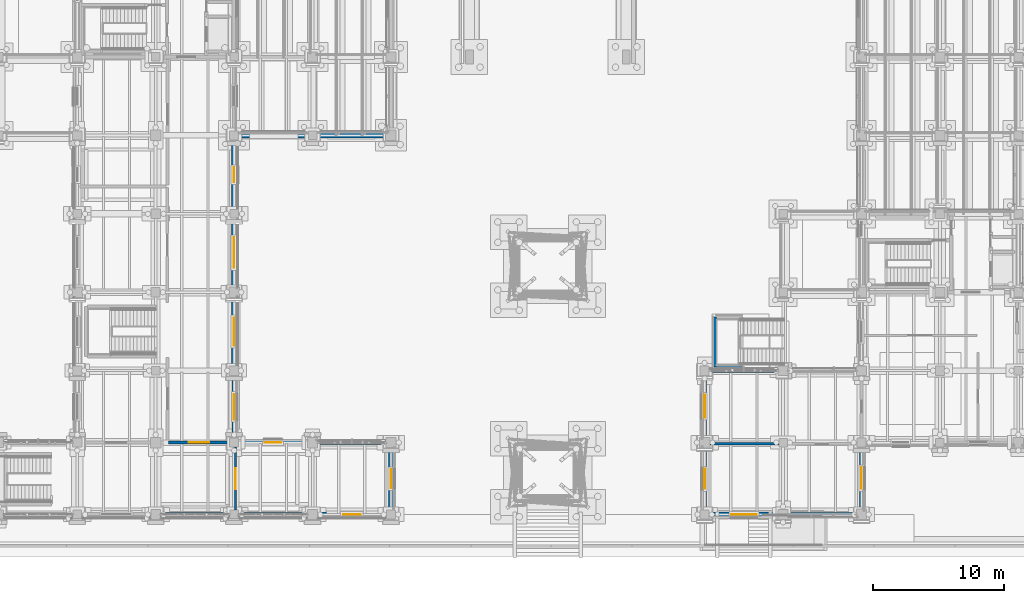
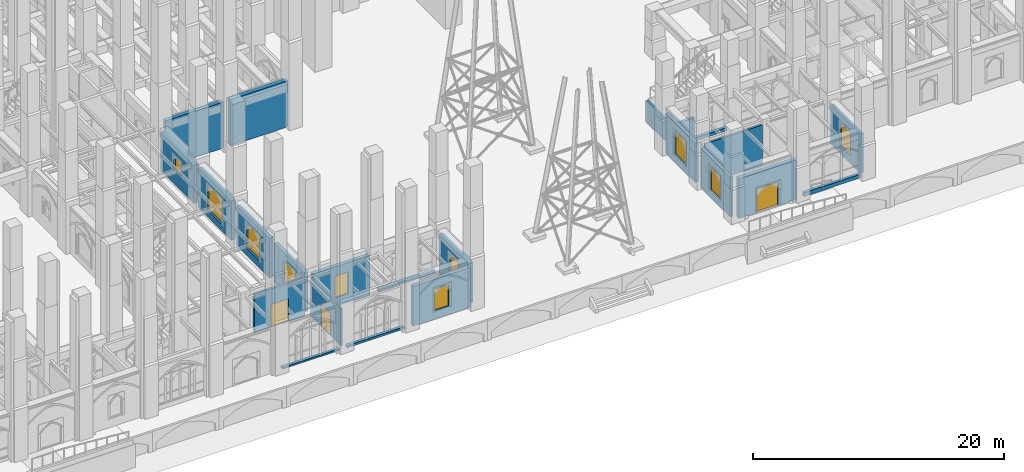
# One storey, part 63 of 135: 23 walls, 10 windows, 3 doors, 13 openings.
"""IFC4 building model written with IfcOpenShell, lengths in metres."""

from ifc_helpers import new_model, si_unit, direction, frame, frame_2d, origin, place, context, subcontext, project, spatial, rectangle, extrude, material, layer, layer_set, type_object, element, fill, save


model = new_model("IFC4")

# Units and contexts
model_context = context("Model", 3, precision=1e-05, world=origin(), true_north=direction((0.0, 1.0)))
body_context = subcontext(model_context, "Body", "Model", "MODEL_VIEW")
ifc_project = project(units=[si_unit("LENGTHUNIT", "METRE"), si_unit("AREAUNIT", "SQUARE_METRE"), si_unit("VOLUMEUNIT", "CUBIC_METRE"), si_unit("PLANEANGLEUNIT", "RADIAN"), si_unit("MASSUNIT", "GRAM", prefix="KILO")], contexts=[model_context])

# Site, building, storey
site_placement = place(None, origin())
site = spatial("IfcSite", under=ifc_project, at=site_placement, CompositionType="ELEMENT")
building_placement = place(site_placement, origin())
building = spatial("IfcBuilding", under=site, at=building_placement, Name="Cumevento Cable Car Station", CompositionType="ELEMENT")
storey_placement = place(building_placement, origin())
storey = spatial("IfcBuildingStorey", under=building, at=storey_placement, Name="L01", CompositionType="ELEMENT", Elevation=0.0)

# Wall, opening, window
ifc_material_1 = material(Name="Gnaisse Facoidal Stone Ashlar 85 MPa", Category="masonry")
ifc_layer_1 = layer(ifc_material_1, 0.280029296875)
ifc_layer_set_1 = layer_set([ifc_layer_1], Name="Gnaisse Facoidal Stone Ashlar 85 MPa")
wall_type_1 = type_object("IfcWallType", Name="Exterior Envelope Wall EW-280 280", PredefinedType="SOLIDWALL", material=ifc_layer_set_1)
wall_1_placement = place(storey_placement, frame((106.0, 4.35009765625, 0.0), z_axis=(0.0, 0.0, 1.0), x_axis=(0.0, 1.0, 0.0)))
wall_1 = element("IfcWall", 1, at=wall_1_placement, inside=storey, type_object=wall_type_1, Name="Exterior Wall EW-280 L01 #27", PredefinedType="SOLIDWALL", context=body_context, shape_type="SweptSolid", body=[
    extrude(rectangle(XDim=4.75, YDim=0.280029296875, at=frame_2d((2.375, 0.0))), origin(), (0.0, 0.0, 1.0), 3.85693359375),
])
opening_1_placement = place(wall_1_placement, frame((1.60009765625, 0.0, 0.75)))
opening_1 = element("IfcOpeningElement", 2, at=opening_1_placement, cuts=wall_1, Name="Opening WN-L01-008", PredefinedType="OPENING", context=body_context, shape_type="SweptSolid", body=[
    extrude(rectangle(XDim=1.550048828125, YDim=2.25, at=frame_2d((0.77490234375, 1.125))), frame((0.0, 0.150146484375, 0.0), z_axis=(0.0, -1.0, 0.0), x_axis=(1.0, 0.0, 0.0)), (0.0, 0.0, 1.0), 0.300048828125),
])
ifc_material_2 = material(Name="Anodised Bronze Aluminium & Laminated Solar Glass", Category="aluminium")
window_type_1 = type_object("IfcWindowType", Name="Lancet Window WN-08 1550x2250", PartitioningType="DOUBLE_PANEL_VERTICAL", PredefinedType="WINDOW", material=ifc_material_2)
window_1_placement = place(opening_1_placement, origin())
window_1 = element("IfcWindow", 3, at=window_1_placement, inside=storey, type_object=window_type_1, Name="Lancet Window WN-L01-008 (WN-08)", OverallHeight=2.25, OverallWidth=1.550048828125, PartitioningType="SINGLE_PANEL", PredefinedType="WINDOW", context=body_context, shape_type="SweptSolid", body=[
    extrude(rectangle(XDim=1.550048828125, YDim=2.25, at=frame_2d((0.77490234375, 1.125))), frame((0.0, 0.030029296875, 0.0), z_axis=(0.0, -1.0, 0.0), x_axis=(1.0, 0.0, 0.0)), (0.0, 0.0, 1.0), 0.06005859375),
])
fill(opening_1, window_1)

# Walls
ifc_material_3 = material(Name="Gnaisse Facoidal Stone Ashlar 85 MPa", Category="masonry")
ifc_layer_2 = layer(ifc_material_3, 0.294921875)
ifc_layer_set_2 = layer_set([ifc_layer_2], Name="Gnaisse Facoidal Stone Ashlar 85 MPa")
wall_type_2 = type_object("IfcWallType", Name="Exterior Envelope Wall EW-295 295", PredefinedType="SOLIDWALL", material=ifc_layer_set_2)
wall_2_placement = place(storey_placement, frame((69.675048828125, 4.0, 0.0), z_axis=(0.0, 0.0, 1.0), x_axis=(-1.0, 0.0, 0.0)))
element("IfcWall", 4, at=wall_2_placement, inside=storey, type_object=wall_type_2, Name="Exterior Sill Curb Wall EW-295 L01 #17", PredefinedType="SOLIDWALL", context=body_context, shape_type="SweptSolid", body=[
    extrude(rectangle(XDim=5.300048828125, YDim=0.294921875, at=frame_2d((2.64990234375, 0.0))), origin(), (0.0, 0.0, 1.0), 0.159912109375),
])
wall_3_placement = place(storey_placement, frame((75.625, 4.0, 0.0), z_axis=(0.0, 0.0, 1.0), x_axis=(-1.0, 0.0, 0.0)))
element("IfcWall", 5, at=wall_3_placement, inside=storey, type_object=wall_type_2, Name="Exterior Sill Curb Wall EW-295 L01 #18", PredefinedType="SOLIDWALL", context=body_context, shape_type="SweptSolid", body=[
    extrude(rectangle(XDim=5.300048828125, YDim=0.294921875, at=frame_2d((2.64990234375, 0.0))), origin(), (0.0, 0.0, 1.0), 0.2099609375),
])
wall_4_placement = place(storey_placement, frame((76.39990234375, 9.5, 0.0), z_axis=(0.0, 0.0, 1.0), x_axis=(1.0, 0.0, 0.0)))
element("IfcWall", 6, at=wall_4_placement, inside=storey, type_object=wall_type_2, Name="Exterior Sill Curb Wall EW-295 L01 #21", PredefinedType="SOLIDWALL", context=body_context, shape_type="SweptSolid", body=[
    extrude(rectangle(XDim=5.22509765625, YDim=0.294921875, at=frame_2d((2.612548828125, 0.0))), origin(), (0.0, 0.0, 1.0), 0.260009765625),
])
wall_5_placement = place(storey_placement, frame((106.35009765625, 15.0, 0.0), z_axis=(0.0, 0.0, 1.0), x_axis=(1.0, 0.0, 0.0)))
element("IfcWall", 7, at=wall_5_placement, inside=storey, type_object=wall_type_2, Name="Exterior Sill Curb Wall EW-295 L01 #24", PredefinedType="SOLIDWALL", context=body_context, shape_type="SweptSolid", body=[
    extrude(rectangle(XDim=5.27490234375, YDim=0.294921875, at=frame_2d((2.637451171875, 0.0))), origin(), (0.0, 0.0, 1.0), 0.31005859375),
])
wall_6_placement = place(storey_placement, frame((117.60009765625, 4.0, 0.0), z_axis=(0.0, 0.0, 1.0), x_axis=(-1.0, 0.0, 0.0)))
element("IfcWall", 8, at=wall_6_placement, inside=storey, type_object=wall_type_2, Name="Exterior Sill Curb Wall EW-295 L01 #25", PredefinedType="SOLIDWALL", context=body_context, shape_type="SweptSolid", body=[
    extrude(rectangle(XDim=5.22509765625, YDim=0.294921875, at=frame_2d((2.612548828125, 0.0))), origin(), (0.0, 0.0, 1.0), 0.360107421875),
])

# Wall, opening, window
wall_7_placement = place(storey_placement, frame((118.0, 9.14990234375, 0.0), z_axis=(0.0, 0.0, 1.0), x_axis=(0.0, -1.0, 0.0)))
wall_7 = element("IfcWall", 9, at=wall_7_placement, inside=storey, type_object=wall_type_2, Name="Exterior Wall EW-295 L01 #28", PredefinedType="SOLIDWALL", context=body_context, shape_type="SweptSolid", body=[
    extrude(rectangle(XDim=4.75, YDim=0.294921875, at=frame_2d((2.375, 0.0))), origin(), (0.0, 0.0, 1.0), 3.821044921875),
])
opening_2_placement = place(wall_7_placement, frame((1.550048828125, 0.0, 0.75)))
opening_2 = element("IfcOpeningElement", 10, at=opening_2_placement, cuts=wall_7, Name="Opening WN-L01-009", PredefinedType="OPENING", context=body_context, shape_type="SweptSolid", body=[
    extrude(rectangle(XDim=1.64990234375, YDim=2.300048828125, at=frame_2d((0.824951171875, 1.14990234375))), frame((0.0, 0.157470703125, 0.0), z_axis=(0.0, -1.0, 0.0), x_axis=(1.0, 0.0, 0.0)), (0.0, 0.0, 1.0), 0.31494140625),
])
ifc_material_4 = material(Name="Anodised Bronze Aluminium & Laminated Solar Glass", Category="aluminium")
window_type_2 = type_object("IfcWindowType", Name="Lancet Window WN-09 1650x2300", PartitioningType="DOUBLE_PANEL_VERTICAL", PredefinedType="WINDOW", material=ifc_material_4)
window_2_placement = place(opening_2_placement, origin())
window_2 = element("IfcWindow", 11, at=window_2_placement, inside=storey, type_object=window_type_2, Name="Lancet Window WN-L01-009 (WN-09)", OverallHeight=2.300048828125, OverallWidth=1.64990234375, PartitioningType="SINGLE_PANEL", PredefinedType="WINDOW", context=body_context, shape_type="SweptSolid", body=[
    extrude(rectangle(XDim=1.64990234375, YDim=2.300048828125, at=frame_2d((0.824951171875, 1.14990234375))), frame((0.0, 0.030029296875, 0.0), z_axis=(0.0, -1.0, 0.0), x_axis=(1.0, 0.0, 0.0)), (0.0, 0.0, 1.0), 0.06005859375),
])
fill(opening_2, window_2)

ifc_material_5 = material(Name="Gnaisse Facoidal Stone Ashlar 85 MPa", Category="masonry")
ifc_layer_3 = layer(ifc_material_5, 0.31005859375)
ifc_layer_set_3 = layer_set([ifc_layer_3], Name="Gnaisse Facoidal Stone Ashlar 85 MPa")
wall_type_3 = type_object("IfcWallType", Name="Exterior Envelope Wall EW-310 310", PredefinedType="SOLIDWALL", material=ifc_layer_set_3)
wall_8_placement = place(storey_placement, frame((106.0, 9.89990234375, 0.0), z_axis=(0.0, 0.0, 1.0), x_axis=(0.0, 1.0, 0.0)))
wall_8 = element("IfcWall", 12, at=wall_8_placement, inside=storey, type_object=wall_type_3, Name="Exterior Wall EW-310 L01 #29", PredefinedType="SOLIDWALL", context=body_context, shape_type="SweptSolid", body=[
    extrude(rectangle(XDim=4.75, YDim=0.31005859375, at=frame_2d((2.375, 0.0))), origin(), (0.0, 0.0, 1.0), 3.85693359375),
])
opening_3_placement = place(wall_8_placement, frame((1.5, 0.0, 0.75)))
opening_3 = element("IfcOpeningElement", 13, at=opening_3_placement, cuts=wall_8, Name="Opening WN-L01-010", PredefinedType="OPENING", context=body_context, shape_type="SweptSolid", body=[
    extrude(rectangle(XDim=1.75, YDim=2.300048828125, at=frame_2d((0.875, 1.14990234375))), frame((0.0, 0.1650390625, 0.0), z_axis=(0.0, -1.0, 0.0), x_axis=(1.0, 0.0, 0.0)), (0.0, 0.0, 1.0), 0.330078125),
])
ifc_material_6 = material(Name="Anodised Bronze Aluminium & Laminated Solar Glass", Category="aluminium")
window_type_3 = type_object("IfcWindowType", Name="Lancet Window WN-10 1750x2300", PartitioningType="DOUBLE_PANEL_VERTICAL", PredefinedType="WINDOW", material=ifc_material_6)
window_3_placement = place(opening_3_placement, origin())
window_3 = element("IfcWindow", 14, at=window_3_placement, inside=storey, type_object=window_type_3, Name="Lancet Window WN-L01-010 (WN-10)", OverallHeight=2.300048828125, OverallWidth=1.75, PartitioningType="SINGLE_PANEL", PredefinedType="WINDOW", context=body_context, shape_type="SweptSolid", body=[
    extrude(rectangle(XDim=1.75, YDim=2.300048828125, at=frame_2d((0.875, 1.14990234375))), frame((0.0, 0.030029296875, 0.0), z_axis=(0.0, -1.0, 0.0), x_axis=(1.0, 0.0, 0.0)), (0.0, 0.0, 1.0), 0.06005859375),
])
fill(opening_3, window_3)

ifc_material_7 = material(Name="Concrete C40/50", Category="concrete")
ifc_layer_4 = layer(ifc_material_7, 0.340087890625)
ifc_layer_set_4 = layer_set([ifc_layer_4], Name="Concrete C40/50")
wall_type_4 = type_object("IfcWallType", Name="Exterior Envelope Wall EW-340 340", PredefinedType="SOLIDWALL", material=ifc_layer_set_4)
wall_9_placement = place(storey_placement, frame((70.0, 14.625, 0.0), z_axis=(0.0, 0.0, 1.0), x_axis=(0.0, -1.0, 0.0)))
wall_9 = element("IfcWall", 15, at=wall_9_placement, inside=storey, type_object=wall_type_4, Name="Exterior Wall EW-340 L01 #31", PredefinedType="SOLIDWALL", context=body_context, shape_type="SweptSolid", body=[
    extrude(rectangle(XDim=4.77490234375, YDim=0.340087890625, at=frame_2d((2.387451171875, 0.0))), origin(), (0.0, 0.0, 1.0), 3.844970703125),
])
opening_4_placement = place(wall_9_placement, frame((1.41259765625, 0.0, 0.699951171875)))
opening_4 = element("IfcOpeningElement", 16, at=opening_4_placement, cuts=wall_9, Name="Opening WN-L01-012", PredefinedType="OPENING", context=body_context, shape_type="SweptSolid", body=[
    extrude(rectangle(XDim=1.949951171875, YDim=2.35009765625, at=frame_2d((0.97509765625, 1.175048828125))), frame((0.0, 0.179931640625, 0.0), z_axis=(0.0, -1.0, 0.0), x_axis=(1.0, 0.0, 0.0)), (0.0, 0.0, 1.0), 0.360107421875),
])
ifc_material_8 = material(Name="Anodised Bronze Aluminium & Laminated Solar Glass", Category="aluminium")
window_type_4 = type_object("IfcWindowType", Name="Lancet Window WN-12 1950x2350", PartitioningType="DOUBLE_PANEL_VERTICAL", PredefinedType="WINDOW", material=ifc_material_8)
window_4_placement = place(opening_4_placement, origin())
window_4 = element("IfcWindow", 17, at=window_4_placement, inside=storey, type_object=window_type_4, Name="Lancet Window WN-L01-012 (WN-12)", OverallHeight=2.35009765625, OverallWidth=1.949951171875, PartitioningType="SINGLE_PANEL", PredefinedType="WINDOW", context=body_context, shape_type="SweptSolid", body=[
    extrude(rectangle(XDim=1.949951171875, YDim=2.35009765625, at=frame_2d((0.97509765625, 1.175048828125))), frame((0.0, 0.030029296875, 0.0), z_axis=(0.0, -1.0, 0.0), x_axis=(1.0, 0.0, 0.0)), (0.0, 0.0, 1.0), 0.06005859375),
])
fill(opening_4, window_4)

ifc_material_9 = material(Name="Concrete C40/50", Category="concrete")
ifc_layer_5 = layer(ifc_material_9, 0.35498046875)
ifc_layer_set_5 = layer_set([ifc_layer_5], Name="Concrete C40/50")
wall_type_5 = type_object("IfcWallType", Name="Exterior Envelope Wall EW-355 355", PredefinedType="SOLIDWALL", material=ifc_layer_set_5)
wall_10_placement = place(storey_placement, frame((70.35009765625, 9.5, 0.0), z_axis=(0.0, 0.0, 1.0), x_axis=(1.0, 0.0, 0.0)))
wall_10 = element("IfcWall", 18, at=wall_10_placement, inside=storey, type_object=wall_type_5, Name="Exterior Wall EW-355 L01 #19", PredefinedType="SOLIDWALL", context=body_context, shape_type="SweptSolid", body=[
    extrude(rectangle(XDim=5.25, YDim=0.35498046875, at=frame_2d((2.625, 0.0))), origin(), (0.0, 0.0, 1.0), 3.844970703125),
])
opening_5_placement = place(wall_10_placement, frame((2.0, 0.0, 0.800048828125)))
opening_5 = element("IfcOpeningElement", 19, at=opening_5_placement, cuts=wall_10, Name="Opening WN-L01-005", PredefinedType="OPENING", context=body_context, shape_type="SweptSolid", body=[
    extrude(rectangle(XDim=1.25, YDim=2.14990234375, at=frame_2d((0.625, 1.074951171875))), frame((0.0, 0.1875, 0.0), z_axis=(0.0, -1.0, 0.0), x_axis=(1.0, 0.0, 0.0)), (0.0, 0.0, 1.0), 0.375),
])
ifc_material_10 = material(Name="Anodised Bronze Aluminium & Laminated Solar Glass", Category="aluminium")
window_type_5 = type_object("IfcWindowType", Name="Lancet Window WN-05 1250x2150", PartitioningType="SINGLE_PANEL", PredefinedType="WINDOW", material=ifc_material_10)
window_5_placement = place(opening_5_placement, origin())
window_5 = element("IfcWindow", 20, at=window_5_placement, inside=storey, type_object=window_type_5, Name="Lancet Window WN-L01-005 (WN-05)", OverallHeight=2.14990234375, OverallWidth=1.25, PartitioningType="SINGLE_PANEL", PredefinedType="WINDOW", context=body_context, shape_type="SweptSolid", body=[
    extrude(rectangle(XDim=1.25, YDim=2.14990234375, at=frame_2d((0.625, 1.074951171875))), frame((0.0, 0.030029296875, 0.0), z_axis=(0.0, -1.0, 0.0), x_axis=(1.0, 0.0, 0.0)), (0.0, 0.0, 1.0), 0.06005859375),
])
fill(opening_5, window_5)

ifc_material_11 = material(Name="Concrete C40/50", Category="concrete")
ifc_layer_6 = layer(ifc_material_11, 0.3701171875)
ifc_layer_set_6 = layer_set([ifc_layer_6], Name="Concrete C40/50")
wall_type_6 = type_object("IfcWallType", Name="Exterior Envelope Wall EW-370 370", PredefinedType="SOLIDWALL", material=ifc_layer_set_6)
wall_11_placement = place(storey_placement, frame((81.64990234375, 4.0, 0.0), z_axis=(0.0, 0.0, 1.0), x_axis=(-1.0, 0.0, 0.0)))
wall_11 = element("IfcWall", 21, at=wall_11_placement, inside=storey, type_object=wall_type_6, Name="Exterior Wall EW-370 L01 #20", PredefinedType="SOLIDWALL", context=body_context, shape_type="SweptSolid", body=[
    extrude(rectangle(XDim=5.27490234375, YDim=0.3701171875, at=frame_2d((2.637451171875, 0.0))), origin(), (0.0, 0.0, 1.0), 3.868896484375),
])
opening_6_placement = place(wall_11_placement, frame((1.96240234375, 0.0, 0.800048828125)))
opening_6 = element("IfcOpeningElement", 22, at=opening_6_placement, cuts=wall_11, Name="Opening WN-L01-006", PredefinedType="OPENING", context=body_context, shape_type="SweptSolid", body=[
    extrude(rectangle(XDim=1.35009765625, YDim=2.14990234375, at=frame_2d((0.675048828125, 1.074951171875))), frame((0.0, 0.195068359375, 0.0), z_axis=(0.0, -1.0, 0.0), x_axis=(1.0, 0.0, 0.0)), (0.0, 0.0, 1.0), 0.39013671875),
])
ifc_material_12 = material(Name="Anodised Bronze Aluminium & Laminated Solar Glass", Category="aluminium")
window_type_6 = type_object("IfcWindowType", Name="Lancet Window WN-06 1350x2150", PartitioningType="SINGLE_PANEL", PredefinedType="WINDOW", material=ifc_material_12)
window_6_placement = place(opening_6_placement, origin())
window_6 = element("IfcWindow", 23, at=window_6_placement, inside=storey, type_object=window_type_6, Name="Lancet Window WN-L01-006 (WN-06)", OverallHeight=2.14990234375, OverallWidth=1.35009765625, PartitioningType="SINGLE_PANEL", PredefinedType="WINDOW", context=body_context, shape_type="SweptSolid", body=[
    extrude(rectangle(XDim=1.35009765625, YDim=2.14990234375, at=frame_2d((0.675048828125, 1.074951171875))), frame((0.0, 0.030029296875, 0.0), z_axis=(0.0, -1.0, 0.0), x_axis=(1.0, 0.0, 0.0)), (0.0, 0.0, 1.0), 0.06005859375),
])
fill(opening_6, window_6)

wall_12_placement = place(storey_placement, frame((70.0, 20.60009765625, 0.0), z_axis=(0.0, 0.0, 1.0), x_axis=(0.0, -1.0, 0.0)))
wall_12 = element("IfcWall", 24, at=wall_12_placement, inside=storey, type_object=wall_type_6, Name="Exterior Wall EW-370 L01 #33", PredefinedType="SOLIDWALL", context=body_context, shape_type="SweptSolid", body=[
    extrude(rectangle(XDim=5.22509765625, YDim=0.3701171875, at=frame_2d((2.612548828125, 0.0))), origin(), (0.0, 0.0, 1.0), 3.844970703125),
])
opening_7_placement = place(wall_12_placement, frame((1.53759765625, 0.0, 0.699951171875)))
opening_7 = element("IfcOpeningElement", 25, at=opening_7_placement, cuts=wall_12, Name="Opening WN-L01-014", PredefinedType="OPENING", context=body_context, shape_type="SweptSolid", body=[
    extrude(rectangle(XDim=2.14990234375, YDim=2.39990234375, at=frame_2d((1.074951171875, 1.199951171875))), frame((0.0, 0.195068359375, 0.0), z_axis=(0.0, -1.0, 0.0), x_axis=(1.0, 0.0, 0.0)), (0.0, 0.0, 1.0), 0.39013671875),
])
ifc_material_13 = material(Name="Anodised Bronze Aluminium & Laminated Solar Glass", Category="aluminium")
window_type_7 = type_object("IfcWindowType", Name="Lancet Window WN-14 2150x2400", PartitioningType="DOUBLE_PANEL_VERTICAL", PredefinedType="WINDOW", material=ifc_material_13)
window_7_placement = place(opening_7_placement, origin())
window_7 = element("IfcWindow", 26, at=window_7_placement, inside=storey, type_object=window_type_7, Name="Lancet Window WN-L01-014 (WN-14)", OverallHeight=2.39990234375, OverallWidth=2.14990234375, PartitioningType="SINGLE_PANEL", PredefinedType="WINDOW", context=body_context, shape_type="SweptSolid", body=[
    extrude(rectangle(XDim=2.14990234375, YDim=2.39990234375, at=frame_2d((1.074951171875, 1.199951171875))), frame((0.0, 0.030029296875, 0.0), z_axis=(0.0, -1.0, 0.0), x_axis=(1.0, 0.0, 0.0)), (0.0, 0.0, 1.0), 0.06005859375),
])
fill(opening_7, window_7)

ifc_material_14 = material(Name="Concrete C40/50", Category="concrete")
ifc_layer_7 = layer(ifc_material_14, 0.39990234375)
ifc_layer_set_7 = layer_set([ifc_layer_7], Name="Concrete C40/50")
wall_type_7 = type_object("IfcWallType", Name="Exterior Envelope Wall EW-400 400", PredefinedType="SOLIDWALL", material=ifc_layer_set_7)
wall_13_placement = place(storey_placement, frame((82.0, 9.125, 0.0), z_axis=(0.0, 0.0, 1.0), x_axis=(0.0, -1.0, 0.0)))
wall_13 = element("IfcWall", 27, at=wall_13_placement, inside=storey, type_object=wall_type_7, Name="Exterior Wall EW-400 L01 #22", PredefinedType="SOLIDWALL", context=body_context, shape_type="SweptSolid", body=[
    extrude(rectangle(XDim=4.77490234375, YDim=0.39990234375, at=frame_2d((2.387451171875, 0.0))), origin(), (0.0, 0.0, 1.0), 3.868896484375),
])
opening_8_placement = place(wall_13_placement, frame((1.66259765625, 0.0, 0.75)))
opening_8 = element("IfcOpeningElement", 28, at=opening_8_placement, cuts=wall_13, Name="Opening WN-L01-007", PredefinedType="OPENING", context=body_context, shape_type="SweptSolid", body=[
    extrude(rectangle(XDim=1.449951171875, YDim=2.25, at=frame_2d((0.72509765625, 1.125))), frame((0.0, 0.2099609375, 0.0), z_axis=(0.0, -1.0, 0.0), x_axis=(1.0, 0.0, 0.0)), (0.0, 0.0, 1.0), 0.419921875),
])
ifc_material_15 = material(Name="Anodised Bronze Aluminium & Laminated Solar Glass", Category="aluminium")
window_type_8 = type_object("IfcWindowType", Name="Lancet Window WN-07 1450x2250", PartitioningType="SINGLE_PANEL", PredefinedType="WINDOW", material=ifc_material_15)
window_8_placement = place(opening_8_placement, origin())
window_8 = element("IfcWindow", 29, at=window_8_placement, inside=storey, type_object=window_type_8, Name="Lancet Window WN-L01-007 (WN-07)", OverallHeight=2.25, OverallWidth=1.449951171875, PartitioningType="SINGLE_PANEL", PredefinedType="WINDOW", context=body_context, shape_type="SweptSolid", body=[
    extrude(rectangle(XDim=1.449951171875, YDim=2.25, at=frame_2d((0.72509765625, 1.125))), frame((0.0, 0.030029296875, 0.0), z_axis=(0.0, -1.0, 0.0), x_axis=(1.0, 0.0, 0.0)), (0.0, 0.0, 1.0), 0.06005859375),
])
fill(opening_8, window_8)

wall_14_placement = place(storey_placement, frame((70.0, 26.675048828125, 0.0), z_axis=(0.0, 0.0, 1.0), x_axis=(0.0, -1.0, 0.0)))
wall_14 = element("IfcWall", 30, at=wall_14_placement, inside=storey, type_object=wall_type_7, Name="Exterior Wall EW-400 L01 #35", PredefinedType="SOLIDWALL", context=body_context, shape_type="SweptSolid", body=[
    extrude(rectangle(XDim=5.275146484375, YDim=0.39990234375, at=frame_2d((2.6376953125, 0.0))), origin(), (0.0, 0.0, 1.0), 3.844970703125),
])
opening_9_placement = place(wall_14_placement, frame((1.46240234375, 0.0, 0.64990234375)))
opening_9 = element("IfcOpeningElement", 31, at=opening_9_placement, cuts=wall_14, Name="Opening WN-L01-016", PredefinedType="OPENING", context=body_context, shape_type="SweptSolid", body=[
    extrude(rectangle(XDim=2.35009765625, YDim=2.449951171875, at=frame_2d((1.175048828125, 1.22509765625))), frame((0.0, 0.2099609375, 0.0), z_axis=(0.0, -1.0, 0.0), x_axis=(1.0, 0.0, 0.0)), (0.0, 0.0, 1.0), 0.419921875),
])
ifc_material_16 = material(Name="Anodised Bronze Aluminium & Laminated Solar Glass", Category="aluminium")
window_type_9 = type_object("IfcWindowType", Name="Lancet Window WN-16 2350x2450", PartitioningType="DOUBLE_PANEL_VERTICAL", PredefinedType="WINDOW", material=ifc_material_16)
window_9_placement = place(opening_9_placement, origin())
window_9 = element("IfcWindow", 32, at=window_9_placement, inside=storey, type_object=window_type_9, Name="Lancet Window WN-L01-016 (WN-16)", OverallHeight=2.449951171875, OverallWidth=2.35009765625, PartitioningType="SINGLE_PANEL", PredefinedType="WINDOW", context=body_context, shape_type="SweptSolid", body=[
    extrude(rectangle(XDim=2.35009765625, YDim=2.449951171875, at=frame_2d((1.175048828125, 1.22509765625))), frame((0.0, 0.030029296875, 0.0), z_axis=(0.0, -1.0, 0.0), x_axis=(1.0, 0.0, 0.0)), (0.0, 0.0, 1.0), 0.06005859375),
])
fill(opening_9, window_9)

# Wall, opening, door
ifc_material_17 = material(Name="Gnaisse Facoidal Stone Ashlar 85 MPa", Category="masonry")
ifc_layer_8 = layer(ifc_material_17, 0.4150390625)
ifc_layer_set_8 = layer_set([ifc_layer_8], Name="Gnaisse Facoidal Stone Ashlar 85 MPa")
wall_type_8 = type_object("IfcWallType", Name="Exterior Envelope Wall EW-415 415", PredefinedType="SOLIDWALL", material=ifc_layer_set_8)
wall_15_placement = place(storey_placement, frame((111.625, 4.0, 0.0), z_axis=(0.0, 0.0, 1.0), x_axis=(-1.0, 0.0, 0.0)))
wall_15 = element("IfcWall", 33, at=wall_15_placement, inside=storey, type_object=wall_type_8, Name="Exterior Wall EW-415 L01 #23", PredefinedType="SOLIDWALL", context=body_context, shape_type="SweptSolid", body=[
    extrude(rectangle(XDim=5.27490234375, YDim=0.4150390625, at=frame_2d((2.637451171875, 0.0))), origin(), (0.0, 0.0, 1.0), 3.85693359375),
])
opening_10_placement = place(wall_15_placement, frame((1.64990234375, 0.0, 0.0)))
opening_10 = element("IfcOpeningElement", 34, at=opening_10_placement, cuts=wall_15, Name="Opening DR-L01-M03", PredefinedType="OPENING", context=body_context, shape_type="SweptSolid", body=[
    extrude(rectangle(XDim=1.949951171875, YDim=2.300048828125, at=frame_2d((0.97509765625, 1.14990234375))), frame((0.0, 0.217529296875, 0.0), z_axis=(0.0, -1.0, 0.0), x_axis=(1.0, 0.0, 0.0)), (0.0, 0.0, 1.0), 0.43505859375),
])
ifc_material_18 = material(Name="Anodised Bronze Aluminium & Laminated Glass", Category="aluminium")
door_type_1 = type_object("IfcDoorType", Name="Exterior Door ED-02 1950x2300", OperationType="NOTDEFINED", PredefinedType="DOOR", material=ifc_material_18)
door_1_placement = place(opening_10_placement, origin())
door_1 = element("IfcDoor", 35, at=door_1_placement, inside=storey, type_object=door_type_1, Name="Main Entrance M3 (Cloister Arcade)", OperationType="DOUBLE_DOOR_SINGLE_SWING", OverallHeight=2.300048828125, OverallWidth=1.949951171875, PredefinedType="DOOR", context=body_context, shape_type="SweptSolid", body=[
    extrude(rectangle(XDim=1.949951171875, YDim=2.300048828125, at=frame_2d((0.97509765625, 1.14990234375))), frame((0.0, 0.02490234375, 0.0), z_axis=(0.0, -1.0, 0.0), x_axis=(1.0, 0.0, 0.0)), (0.0, 0.0, 1.0), 0.050048828125),
])
fill(opening_10, door_1)

# Wall, opening, window
ifc_material_19 = material(Name="Gnaisse Facoidal Stone Ashlar 85 MPa", Category="masonry")
ifc_layer_9 = layer(ifc_material_19, 0.429931640625)
ifc_layer_set_9 = layer_set([ifc_layer_9], Name="Gnaisse Facoidal Stone Ashlar 85 MPa")
wall_type_9 = type_object("IfcWallType", Name="Exterior Envelope Wall EW-430 430", PredefinedType="SOLIDWALL", material=ifc_layer_set_9)
wall_16_placement = place(storey_placement, frame((70.0, 32.64990234375, 0.0), z_axis=(0.0, 0.0, 1.0), x_axis=(0.0, -1.0, 0.0)))
wall_16 = element("IfcWall", 36, at=wall_16_placement, inside=storey, type_object=wall_type_9, Name="Exterior Wall EW-430 L01 #37", PredefinedType="SOLIDWALL", context=body_context, shape_type="SweptSolid", body=[
    extrude(rectangle(XDim=5.324951171875, YDim=0.429931640625, at=frame_2d((2.66259765625, 0.0))), origin(), (0.0, 0.0, 1.0), 3.702880859375),
])
opening_11_placement = place(wall_16_placement, frame((2.08740234375, 0.0, 1.35009765625)))
opening_11 = element("IfcOpeningElement", 37, at=opening_11_placement, cuts=wall_16, Name="Opening WN-L01-018", PredefinedType="OPENING", context=body_context, shape_type="SweptSolid", body=[
    extrude(rectangle(XDim=1.14990234375, YDim=1.35009765625, at=frame_2d((0.574951171875, 0.675048828125))), frame((0.0, 0.224853515625, 0.0), z_axis=(0.0, -1.0, 0.0), x_axis=(1.0, 0.0, 0.0)), (0.0, 0.0, 1.0), 0.449951171875),
])
ifc_material_20 = material(Name="Anodised Bronze Aluminium & Laminated Solar Glass", Category="aluminium")
window_type_10 = type_object("IfcWindowType", Name="Lancet Window WN-18 1150x1350", PartitioningType="SINGLE_PANEL", PredefinedType="WINDOW", material=ifc_material_20)
window_10_placement = place(opening_11_placement, origin())
window_10 = element("IfcWindow", 38, at=window_10_placement, inside=storey, type_object=window_type_10, Name="Lancet Window WN-L01-018 (WN-18)", OverallHeight=1.35009765625, OverallWidth=1.14990234375, PartitioningType="SINGLE_PANEL", PredefinedType="WINDOW", context=body_context, shape_type="SweptSolid", body=[
    extrude(rectangle(XDim=1.14990234375, YDim=1.35009765625, at=frame_2d((0.574951171875, 0.675048828125))), frame((0.0, 0.030029296875, 0.0), z_axis=(0.0, -1.0, 0.0), x_axis=(1.0, 0.0, 0.0)), (0.0, 0.0, 1.0), 0.06005859375),
])
fill(opening_11, window_10)

# Wall, opening, door
ifc_material_21 = material(Name="Concrete C40/50", Category="concrete")
ifc_layer_10 = layer(ifc_material_21, 0.219970703125)
ifc_layer_set_10 = layer_set([ifc_layer_10], Name="Concrete C40/50")
wall_type_10 = type_object("IfcWallType", Name="Interior Partition FW-220 220", PredefinedType="SOLIDWALL", material=ifc_layer_set_10)
wall_17_placement = place(storey_placement, frame((65.0, 9.5, 0.0), z_axis=(0.0, 0.0, 1.0), x_axis=(1.0, 0.0, 0.0)))
wall_17 = element("IfcWall", 39, at=wall_17_placement, inside=storey, type_object=wall_type_10, Name="Interior Wall FW-220 L01 #571", PredefinedType="SOLIDWALL", context=body_context, shape_type="SweptSolid", body=[
    extrude(rectangle(XDim=4.64794921875, YDim=0.219970703125, at=frame_2d((2.323974609375, 0.0))), origin(), (0.0, 0.0, 1.0), 3.712890625),
])
opening_12_placement = place(wall_17_placement, frame((1.533935546875, 0.0, 0.0)))
opening_12 = element("IfcOpeningElement", 40, at=opening_12_placement, cuts=wall_17, Name="Opening DR-L01-187", PredefinedType="OPENING", context=body_context, shape_type="SweptSolid", body=[
    extrude(rectangle(XDim=1.580078125, YDim=2.199951171875, at=frame_2d((0.7900390625, 1.10009765625))), frame((0.0, 0.119873046875, 0.0), z_axis=(0.0, -1.0, 0.0), x_axis=(1.0, 0.0, 0.0)), (0.0, 0.0, 1.0), 0.239990234375),
])
ifc_material_22 = material(Name="Galvanised Painted Steel Fire Door", Category="steel")
door_type_2 = type_object("IfcDoorType", Name="Interior Door FD-06 1580x2200", OperationType="NOTDEFINED", PredefinedType="DOOR", material=ifc_material_22)
door_2_placement = place(opening_12_placement, origin())
door_2 = element("IfcDoor", 41, at=door_2_placement, inside=storey, type_object=door_type_2, Name="Interior Door DR-L01-187 (FD-06)", OperationType="DOUBLE_DOOR_SINGLE_SWING", OverallHeight=2.199951171875, OverallWidth=1.580078125, PredefinedType="DOOR", context=body_context, shape_type="SweptSolid", body=[
    extrude(rectangle(XDim=1.580078125, YDim=2.199951171875, at=frame_2d((0.7900390625, 1.10009765625))), frame((0.0, 0.02490234375, 0.0), z_axis=(0.0, -1.0, 0.0), x_axis=(1.0, 0.0, 0.0)), (0.0, 0.0, 1.0), 0.050048828125),
])
fill(opening_12, door_2)

ifc_material_23 = material(Name="Gypsum Board & Insulated Stud Partition", Category="gypsum")
ifc_layer_11 = layer(ifc_material_23, 0.155029296875)
ifc_layer_set_11 = layer_set([ifc_layer_11], Name="Gypsum Board & Insulated Stud Partition")
wall_type_11 = type_object("IfcWallType", Name="Interior Partition PT-155 155", PredefinedType="PARTITIONING", material=ifc_layer_set_11)
wall_18_placement = place(storey_placement, frame((70.10009765625, 4.326904296875, 0.0), z_axis=(0.0, 0.0, 1.0), x_axis=(0.0, 1.0, 0.0)))
wall_18 = element("IfcWall", 42, at=wall_18_placement, inside=storey, type_object=wall_type_11, Name="Interior Wall PT-155 L01 #570", PredefinedType="PARTITIONING", context=body_context, shape_type="SweptSolid", body=[
    extrude(rectangle(XDim=4.821044921875, YDim=0.155029296875, at=frame_2d((2.41064453125, 0.0))), origin(), (0.0, 0.0, 1.0), 3.64404296875),
])
opening_13_placement = place(wall_18_placement, frame((1.62060546875, 0.0, 0.0)))
opening_13 = element("IfcOpeningElement", 43, at=opening_13_placement, cuts=wall_18, Name="Opening DR-L01-186", PredefinedType="OPENING", context=body_context, shape_type="SweptSolid", body=[
    extrude(rectangle(XDim=1.580078125, YDim=2.199951171875, at=frame_2d((0.7900390625, 1.10009765625))), frame((0.0, 0.087646484375, 0.0), z_axis=(0.0, -1.0, 0.0), x_axis=(1.0, 0.0, 0.0)), (0.0, 0.0, 1.0), 0.175048828125),
])
door_3_placement = place(opening_13_placement, origin())
door_3 = element("IfcDoor", 44, at=door_3_placement, inside=storey, type_object=door_type_2, Name="Interior Door DR-L01-186 (FD-06)", OperationType="DOUBLE_DOOR_SINGLE_SWING", OverallHeight=2.199951171875, OverallWidth=1.580078125, PredefinedType="DOOR", context=body_context, shape_type="SweptSolid", body=[
    extrude(rectangle(XDim=1.580078125, YDim=2.199951171875, at=frame_2d((0.7900390625, 1.10009765625))), frame((0.0, 0.02490234375, 0.0), z_axis=(0.0, -1.0, 0.0), x_axis=(1.0, 0.0, 0.0)), (0.0, 0.0, 1.0), 0.050048828125),
])
fill(opening_13, door_3)

# Walls
ifc_material_24 = material(Name="Acoustic Double-Stud Partition", Category="gypsum")
ifc_layer_12 = layer(ifc_material_24, 0.195068359375)
ifc_layer_set_12 = layer_set([ifc_layer_12], Name="Acoustic Double-Stud Partition")
wall_type_12 = type_object("IfcWallType", Name="Interior Partition PT-195 195", PredefinedType="PARTITIONING", material=ifc_layer_set_12)
wall_19_placement = place(storey_placement, frame((106.402099609375, 9.39990234375, 0.0), z_axis=(0.0, 0.0, 1.0), x_axis=(1.0, 0.0, 0.0)))
element("IfcWall", 45, at=wall_19_placement, inside=storey, type_object=wall_type_12, Name="Interior Wall PT-195 L01 #574", PredefinedType="PARTITIONING", context=body_context, shape_type="SweptSolid", body=[
    extrude(rectangle(XDim=5.27099609375, YDim=0.195068359375, at=frame_2d((2.635498046875, 0.0))), origin(), (0.0, 0.0, 1.0), 3.909912109375),
])
ifc_material_25 = material(Name="Concrete C40/50", Category="concrete")
ifc_layer_13 = layer(ifc_material_25, 0.22998046875)
ifc_layer_set_13 = layer_set([ifc_layer_13], Name="Concrete C40/50")
wall_type_13 = type_object("IfcWallType", Name="Interior Shear Wall CW-230 230", PredefinedType="SHEAR", material=ifc_layer_set_13)
wall_20_placement = place(storey_placement, frame((106.780029296875, 15.280029296875, 0.0), z_axis=(0.0, 0.0, 1.0), x_axis=(0.0, 1.0, 0.0)))
element("IfcWall", 46, at=wall_20_placement, inside=storey, type_object=wall_type_13, Name="Interior Wall CW-230 L01 #548", PredefinedType="SHEAR", context=body_context, shape_type="SweptSolid", body=[
    extrude(rectangle(XDim=3.840087890625, YDim=0.22998046875, at=frame_2d((1.919921875, 0.0))), origin(), (0.0, 0.0, 1.0), 2.05908203125),
])
wall_21_placement = place(storey_placement, frame((106.89990234375, 15.280029296875, 0.0), z_axis=(0.0, 0.0, 1.0), x_axis=(1.0, 0.0, 0.0)))
element("IfcWall", 47, at=wall_21_placement, inside=storey, type_object=wall_type_13, Name="Interior Wall CW-230 L01 #549", PredefinedType="SHEAR", context=body_context, shape_type="SweptSolid", body=[
    extrude(rectangle(XDim=1.940185546875, YDim=0.22998046875, at=frame_2d((0.97021484375, 0.0))), origin(), (0.0, 0.0, 1.0), 2.05908203125),
])
ifc_material_26 = material(Name="Concrete C40/50", Category="concrete")
ifc_layer_14 = layer(ifc_material_26, 0.360107421875)
ifc_layer_set_14 = layer_set([ifc_layer_14], Name="Concrete C40/50")
wall_type_14 = type_object("IfcWallType", Name="Retaining Wall RW-360 360", PredefinedType="USERDEFINED", material=ifc_layer_set_14)
wall_22_placement = place(storey_placement, frame((70.35009765625, 33.0, 0.0), z_axis=(0.0, 0.0, 1.0), x_axis=(1.0, 0.0, 0.0)))
element("IfcWall", 48, at=wall_22_placement, inside=storey, type_object=wall_type_14, Name="Retaining Wall RW-360 L01 #1", ObjectType="RETAININGWALL", PredefinedType="USERDEFINED", context=body_context, shape_type="SweptSolid", body=[
    extrude(rectangle(XDim=5.324951171875, YDim=0.360107421875, at=frame_2d((2.66259765625, 0.0))), origin(), (0.0, 0.0, 1.0), 4.5),
])
ifc_material_27 = material(Name="Concrete C40/50", Category="concrete")
ifc_layer_15 = layer(ifc_material_27, 0.385009765625)
ifc_layer_set_15 = layer_set([ifc_layer_15], Name="Concrete C40/50")
wall_type_15 = type_object("IfcWallType", Name="Retaining Wall RW-385 385", PredefinedType="USERDEFINED", material=ifc_layer_set_15)
wall_23_placement = place(storey_placement, frame((76.324951171875, 33.0, 0.0), z_axis=(0.0, 0.0, 1.0), x_axis=(1.0, 0.0, 0.0)))
element("IfcWall", 49, at=wall_23_placement, inside=storey, type_object=wall_type_15, Name="Retaining Wall RW-385 L01 #2", ObjectType="RETAININGWALL", PredefinedType="USERDEFINED", context=body_context, shape_type="SweptSolid", body=[
    extrude(rectangle(XDim=5.275146484375, YDim=0.385009765625, at=frame_2d((2.6376953125, 0.0))), origin(), (0.0, 0.0, 1.0), 4.5),
])

save(model, "model.ifc")
